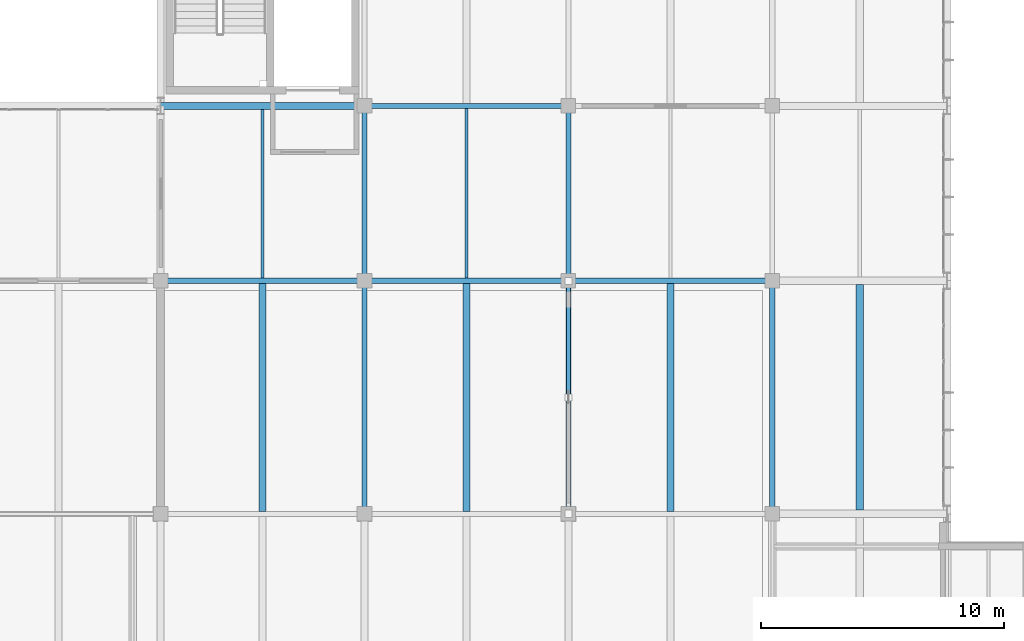
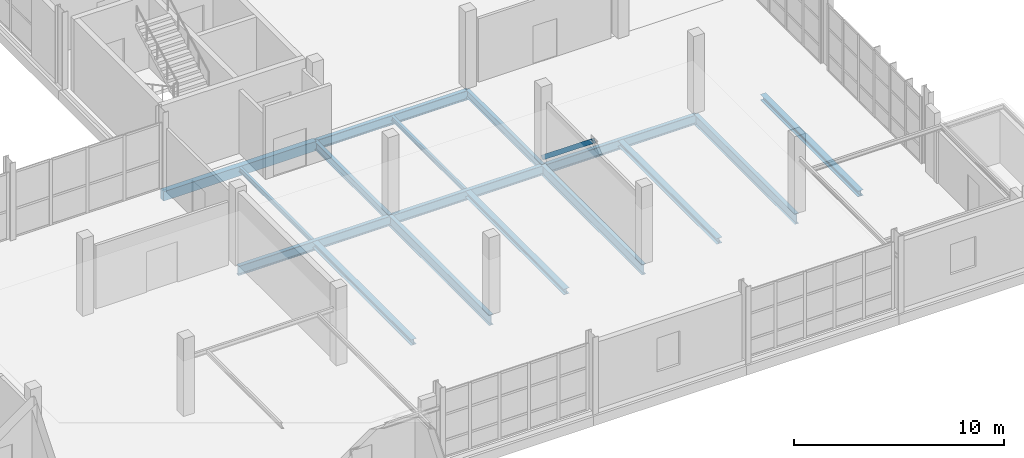
# One storey, part 69 of 113: 16 beams, 1 member.
"""IFC4 building model written with IfcOpenShell, lengths in metres."""

import ifcopenshell
import ifcopenshell.guid

model = None  # the IFC model being written
_history = None  # IfcOwnerHistory: only IFC2X3 demands one
_inside = {}  # id of a spatial element -> (the spatial element, [elements in it])
_under = {}  # id of a project, library or spatial element -> (it, [spatial elements below it])
_declared = {}  # id of a project -> (the project, [libraries it declares])
_typed = {}  # id of a type object -> (the type object, [elements of that type])
_made_of = {}  # id of a material, layer set ... -> (it, [elements and type objects made of it])


def new_model(schema):
    """Start an empty IFC model of exactly this schema.

    Asked for "IFC4X3", IfcOpenShell would pick the latest addendum, in which some entities
    have other attributes; the version numbers below select the first issue.
    IFC2X3 requires an IfcOwnerHistory on every rooted entity: one is made here for all.
    """
    global model, _history
    if schema == "IFC4X3":
        model = ifcopenshell.file(schema_version=(4, 3, 0, 0))
    else:
        model = ifcopenshell.file(schema=schema)
    _inside.clear()
    _under.clear()
    _declared.clear()
    _typed.clear()
    _made_of.clear()
    _history = None
    if model.schema == "IFC2X3":
        org = make("IfcOrganization", Name="unknown")
        user = make(
            "IfcPersonAndOrganization",
            ThePerson=make("IfcPerson", FamilyName="unknown"),
            TheOrganization=org,
        )
        app = make(
            "IfcApplication",
            ApplicationDeveloper=org,
            Version="unknown",
            ApplicationFullName="unknown",
            ApplicationIdentifier="unknown",
        )
        _history = make(
            "IfcOwnerHistory",
            OwningUser=user,
            OwningApplication=app,
            ChangeAction="ADDED",
            CreationDate=0,
        )
    return model


def make(cls, **values):
    """One entity of the class cls with the attributes given. An attribute that is None is left unset."""
    return model.create_entity(
        cls, **{name: value for name, value in values.items() if value is not None}
    )


def rooted(cls, **values):
    """An entity with a GlobalId (a new one), such as an element, a storey or a relation."""
    return make(cls, GlobalId=ifcopenshell.guid.new(), OwnerHistory=_history, **values)


def si_unit(unit_type, name, prefix=None):
    """IfcSIUnit, for example si_unit("LENGTHUNIT", "METRE", prefix="MILLI")."""
    return make("IfcSIUnit", UnitType=unit_type, Prefix=prefix, Name=name)


def assignment(units):
    """IfcUnitAssignment: the units of a project."""
    return None if units is None else make("IfcUnitAssignment", Units=units)


def point(xyz):
    """IfcCartesianPoint."""
    return None if xyz is None else make("IfcCartesianPoint", Coordinates=xyz)


def direction(xyz):
    """IfcDirection."""
    return None if xyz is None else make("IfcDirection", DirectionRatios=xyz)


def frame(location, z_axis=None, x_axis=None):
    """IfcAxis2Placement3D, a coordinate frame: its origin and axes. An axis left out is left unset."""
    return make(
        "IfcAxis2Placement3D",
        Location=point(location),
        Axis=direction(z_axis),
        RefDirection=direction(x_axis),
    )


def frame_2d(location, x_axis=None):
    """IfcAxis2Placement2D, a coordinate frame in the plane: its origin and x axis."""
    return make(
        "IfcAxis2Placement2D", Location=point(location), RefDirection=direction(x_axis)
    )


def origin():
    """The frame at (0, 0, 0) with its axes left unset."""
    return frame((0.0, 0.0, 0.0))


def origin_2d():
    """The frame at (0, 0) in the plane with its x axis left unset."""
    return frame_2d((0.0, 0.0))


def place(relative_to, where):
    """IfcLocalPlacement: puts the frame where relative to a parent placement (None: the world)."""
    return make(
        "IfcLocalPlacement", PlacementRelTo=relative_to, RelativePlacement=where
    )


def context(
    kind, dimensions, precision=None, world=None, true_north=None, identifier=None
):
    """IfcGeometricRepresentationContext, for example the 3D "Model" context."""
    return make(
        "IfcGeometricRepresentationContext",
        ContextIdentifier=identifier,
        ContextType=kind,
        CoordinateSpaceDimension=dimensions,
        Precision=precision,
        WorldCoordinateSystem=world,
        TrueNorth=true_north,
    )


def subcontext(parent, identifier, kind, view, scale=None):
    """IfcGeometricRepresentationSubContext, for example "Body" below "Model"."""
    return make(
        "IfcGeometricRepresentationSubContext",
        ContextIdentifier=identifier,
        ContextType=kind,
        ParentContext=parent,
        TargetScale=scale,
        TargetView=view,
    )


def project(units=None, contexts=None):
    """IfcProject with its units and contexts."""
    return rooted(
        "IfcProject",
        Name="project",
        RepresentationContexts=contexts,
        UnitsInContext=assignment(units),
    )


def spatial(cls, under=None, at=None, **own):
    """A site, building, storey or space (cls), placed at a placement, below another one or the project."""
    s = rooted(cls, ObjectPlacement=at, **own)
    if under is not None:
        _under.setdefault(under.id(), (under, []))[1].append(s)
    return s


def profile(cls, at=None, kind="AREA", **sizes):
    """A parametric profile (cls). Its sizes go by their IFC names, for example OverallWidth=200.0."""
    return make(cls, ProfileType=kind, Position=at, **sizes)


def rectangle(**sizes):
    """IfcRectangleProfileDef."""
    return profile("IfcRectangleProfileDef", **sizes)


def hollow_rectangle(**sizes):
    """IfcRectangleHollowProfileDef."""
    return profile("IfcRectangleHollowProfileDef", **sizes)


def i_section(**sizes):
    """IfcIShapeProfileDef."""
    return profile("IfcIShapeProfileDef", **sizes)


def extrude(swept, where, along, depth):
    """IfcExtrudedAreaSolid: the profile swept, set in the frame where, extruded along a direction by depth."""
    return make(
        "IfcExtrudedAreaSolid",
        SweptArea=swept,
        Position=where,
        ExtrudedDirection=direction(along),
        Depth=depth,
    )


def shape(context_of_items, identifier, shape_type, items):
    """IfcShapeRepresentation: the items that make up one representation, for example the "Body"."""
    return make(
        "IfcShapeRepresentation",
        ContextOfItems=context_of_items,
        RepresentationIdentifier=identifier,
        RepresentationType=shape_type,
        Items=items,
    )


def material(Name=None, Category=None):
    """IfcMaterial."""
    return make("IfcMaterial", Name=Name, Category=Category)


def material_profile(
    of_material, cross_section, Name=None, Category=None, Priority=None
):
    """IfcMaterialProfile: a cross section and its material."""
    return make(
        "IfcMaterialProfile",
        Name=Name,
        Material=of_material,
        Profile=cross_section,
        Priority=Priority,
        Category=Category,
    )


def profile_set(profiles, Name=None, composite=None):
    """IfcMaterialProfileSet."""
    return make(
        "IfcMaterialProfileSet",
        Name=Name,
        MaterialProfiles=profiles,
        CompositeProfile=composite,
    )


def made_of(thing, what):
    """Note that an element or type object is made of a material, layer set ...; save() writes the relation."""
    if what is not None:
        _made_of.setdefault(what.id(), (what, []))[1].append(thing)
    return thing


def type_object(cls, material=None, **own):
    """A type object (cls), such as IfcWallType, which elements share."""
    return made_of(rooted(cls, **own), material)


def element(
    cls,
    number,
    at=None,
    inside=None,
    cuts=None,
    type_object=None,
    material=None,
    context=None,
    identifier="Body",
    shape_type=None,
    held_by="IfcProductDefinitionShape",
    body=None,
    shapes=None,
    **own,
):
    """One element of the class cls, such as IfcWall. Its Tag is "e" and its number.

    at: its placement. inside: the storey or other place that contains it. cuts: it is an
    opening in that element (IfcRelVoidsElement). A single representation is given by context,
    identifier, shape_type and body (its items); several are given by shapes. held_by: the class
    of the entity that holds the representations. save() writes the other relations.
    """
    e = rooted(cls, Tag="e%d" % number, ObjectPlacement=at, **own)
    if body is not None:
        shapes = [shape(context, identifier, shape_type, body)]
    if shapes is not None:
        e.Representation = make(held_by, Representations=shapes)
    if inside is not None:
        _inside.setdefault(inside.id(), (inside, []))[1].append(e)
    if cuts is not None:
        rooted(
            "IfcRelVoidsElement", RelatingBuildingElement=cuts, RelatedOpeningElement=e
        )
    if type_object is not None:
        _typed.setdefault(type_object.id(), (type_object, []))[1].append(e)
    return made_of(e, material)


def aggregate(whole, parts):
    """IfcRelAggregates: a whole, such as a stair, and the parts it consists of."""
    return rooted("IfcRelAggregates", RelatingObject=whole, RelatedObjects=parts)


def save(model, path):
    """Write the relations noted so far, then the file.

    IfcRelAggregates (storeys below a building ...), IfcRelContainedInSpatialStructure (elements
    in a storey), IfcRelDefinesByType, IfcRelAssociatesMaterial and IfcRelDeclares: one each for
    every whole, place, type object, material and project.
    """
    for whole, parts in _under.values():
        aggregate(whole, parts)
    for where, things in _inside.values():
        rooted(
            "IfcRelContainedInSpatialStructure",
            RelatedElements=things,
            RelatingStructure=where,
        )
    for kind, things in _typed.values():
        rooted("IfcRelDefinesByType", RelatedObjects=things, RelatingType=kind)
    for what, things in _made_of.values():
        rooted("IfcRelAssociatesMaterial", RelatedObjects=things, RelatingMaterial=what)
    for by, libraries in _declared.values():
        rooted("IfcRelDeclares", RelatingContext=by, RelatedDefinitions=libraries)
    model.write(path)


model = new_model("IFC4")

# Units and contexts
model_context = context("Model", 3, precision=1e-05, world=origin(), true_north=direction((0.0, 1.0)))
body_context = subcontext(model_context, "Body", "Model", "MODEL_VIEW")
ifc_project = project(units=[si_unit("LENGTHUNIT", "METRE"), si_unit("AREAUNIT", "SQUARE_METRE"), si_unit("VOLUMEUNIT", "CUBIC_METRE"), si_unit("PLANEANGLEUNIT", "RADIAN"), si_unit("MASSUNIT", "GRAM", prefix="KILO")], contexts=[model_context])

# Site, building, storey
site_placement = place(None, origin())
site = spatial("IfcSite", under=ifc_project, at=site_placement, CompositionType="ELEMENT")
building_placement = place(site_placement, origin())
building = spatial("IfcBuilding", under=site, at=building_placement, Name="Veltarok Museum of Natural Sciences", CompositionType="ELEMENT")
storey_placement = place(building_placement, frame((0.0, 0.0, 8.39990234375)))
storey = spatial("IfcBuildingStorey", under=building, at=storey_placement, Name="L01", CompositionType="ELEMENT", Elevation=8.39990234375)

# Beams
ifc_material_1 = material(Name="Steel S355J2", Category="steel")
ifc_material_profile_1 = material_profile(ifc_material_1, i_section(OverallWidth=0.2099609375, OverallDepth=0.550048828125, WebThickness=0.010986328125, FlangeThickness=0.01708984375, FilletRadius=0.02392578125, at=origin_2d()), Name="IPE 550")
ifc_profile_set_1 = profile_set([ifc_material_profile_1], Name="Steel S355J2")
beam_type_1 = type_object("IfcBeamType", Name="Archive Heavy Girder IPE 550", PredefinedType="BEAM", material=ifc_profile_set_1)
beam_1_placement = place(storey_placement, frame((132.39990234375, 19.199951171875, -0.52490234375), z_axis=(1.0, 0.0, 0.0), x_axis=(0.0, 1.0, 0.0)))
element("IfcBeam", 1, at=beam_1_placement, inside=storey, type_object=beam_type_1, Name="Beam BM-G03 L01 16-17/C", PredefinedType="BEAM", context=body_context, shape_type="SweptSolid", body=[
    extrude(i_section(OverallWidth=0.2099609375, OverallDepth=0.550048828125, WebThickness=0.010986328125, FlangeThickness=0.01708984375, FilletRadius=0.02392578125, at=origin_2d()), origin(), (0.0, 0.0, 1.0), 8.400146484375),
])
beam_2_placement = place(storey_placement, frame((140.800048828125, 19.199951171875, -0.52490234375), z_axis=(1.0, 0.0, 0.0), x_axis=(0.0, 1.0, 0.0)))
element("IfcBeam", 2, at=beam_2_placement, inside=storey, type_object=beam_type_1, Name="Beam BM-G03 L01 17-18/C", PredefinedType="BEAM", context=body_context, shape_type="SweptSolid", body=[
    extrude(i_section(OverallWidth=0.2099609375, OverallDepth=0.550048828125, WebThickness=0.010986328125, FlangeThickness=0.01708984375, FilletRadius=0.02392578125, at=origin_2d()), origin(), (0.0, 0.0, 1.0), 8.39990234375),
])
beam_3_placement = place(storey_placement, frame((149.199951171875, 19.199951171875, -0.52490234375), z_axis=(1.0, 0.0, 0.0), x_axis=(0.0, 1.0, 0.0)))
element("IfcBeam", 3, at=beam_3_placement, inside=storey, type_object=beam_type_1, Name="Beam BM-G03 L01 18-19/C", PredefinedType="BEAM", context=body_context, shape_type="SweptSolid", body=[
    extrude(i_section(OverallWidth=0.2099609375, OverallDepth=0.550048828125, WebThickness=0.010986328125, FlangeThickness=0.01708984375, FilletRadius=0.02392578125, at=origin_2d()), origin(), (0.0, 0.0, 1.0), 8.400146484375),
])
beam_4_placement = place(storey_placement, frame((140.800048828125, 26.39990234375, -0.52490234375), z_axis=(1.0, 0.0, 0.0), x_axis=(0.0, 1.0, 0.0)))
element("IfcBeam", 4, at=beam_4_placement, inside=storey, type_object=beam_type_1, Name="Beam BM-G03 L01 17-18/D", PredefinedType="BEAM", context=body_context, shape_type="SweptSolid", body=[
    extrude(i_section(OverallWidth=0.2099609375, OverallDepth=0.550048828125, WebThickness=0.010986328125, FlangeThickness=0.01708984375, FilletRadius=0.02392578125, at=origin_2d()), origin(), (0.0, 0.0, 1.0), 8.39990234375),
])
ifc_material_2 = material(Name="Precast concrete C40/50", Category="concrete")
ifc_material_profile_2 = material_profile(ifc_material_2, rectangle(XDim=0.300048828125, YDim=0.550048828125, at=origin_2d()), Name="RC 300x550")
ifc_profile_set_2 = profile_set([ifc_material_profile_2], Name="Precast concrete C40/50")
beam_type_2 = type_object("IfcBeamType", Name="East Wing Precast Spandrel RC 300x550", PredefinedType="SPANDREL", material=ifc_profile_set_2)
beam_5_placement = place(storey_placement, frame((132.39990234375, 26.39990234375, -0.52490234375), z_axis=(1.0, 0.0, 0.0), x_axis=(0.0, 1.0, 0.0)))
element("IfcBeam", 5, at=beam_5_placement, inside=storey, type_object=beam_type_2, Name="Beam BM-SP02 L01 16-17/D", PredefinedType="SPANDREL", context=body_context, shape_type="SweptSolid", body=[
    extrude(rectangle(XDim=0.300048828125, YDim=0.550048828125, at=origin_2d()), origin(), (0.0, 0.0, 1.0), 8.400146484375),
])
ifc_material_profile_3 = material_profile(ifc_material_1, i_section(OverallWidth=0.300048828125, OverallDepth=0.330078125, WebThickness=0.009521484375, FlangeThickness=0.0166015625, FilletRadius=0.027099609375, at=origin_2d()), Name="HEA 340")
ifc_profile_set_3 = profile_set([ifc_material_profile_3], Name="Steel S355J2")
beam_type_3 = type_object("IfcBeamType", Name="Exhibition Floor Joist HEA 340", PredefinedType="JOIST", material=ifc_profile_set_3)
for number, where, z_axis, x_axis, name in (
    (6, (136.60009765625, 9.702880859375, -0.414794921875), (0.0, 1.0, 0.0), (-1.0, 0.0, 0.0), "Secondary Joist BM-J08 L01 16-17/B-C.1"),
    (7, (145.0, 9.702880859375, -0.414794921875), (0.0, 1.0, 0.0), (-1.0, 0.0, 0.0), "Secondary Joist BM-J08 L01 17-18/B-C.1"),
    (8, (153.39990234375, 9.702880859375, -0.414794921875), (0.0, 1.0, 0.0), (-1.0, 0.0, 0.0), "Secondary Joist BM-J08 L01 18-19/B-C.1"),
):
    element("IfcBeam", number, at=place(storey_placement, frame(where, z_axis=z_axis, x_axis=x_axis)), inside=storey, type_object=beam_type_3, Name=name, PredefinedType="JOIST", context=body_context, shape_type="SweptSolid", body=[
        extrude(i_section(OverallWidth=0.300048828125, OverallDepth=0.330078125, WebThickness=0.009521484375, FlangeThickness=0.0166015625, FilletRadius=0.027099609375, at=origin_2d()), origin(), (0.0, 0.0, 1.0), 9.39404296875),
    ])
beam_6_placement = place(storey_placement, frame((161.199951171875, 9.748046875, -0.414794921875), z_axis=(0.0, 1.0, 0.0), x_axis=(-1.0, 0.0, 0.0)))
element("IfcBeam", 9, at=beam_6_placement, inside=storey, type_object=beam_type_3, Name="Secondary Joist BM-J08 L01 19-20/B-C.1", PredefinedType="JOIST", context=body_context, shape_type="SweptSolid", body=[
    extrude(i_section(OverallWidth=0.300048828125, OverallDepth=0.330078125, WebThickness=0.009521484375, FlangeThickness=0.0166015625, FilletRadius=0.027099609375, at=origin_2d()), origin(), (0.0, 0.0, 1.0), 9.303955078125),
])
ifc_material_profile_4 = material_profile(ifc_material_1, i_section(OverallWidth=0.18994140625, OverallDepth=0.449951171875, WebThickness=0.009521484375, FlangeThickness=0.0146484375, FilletRadius=0.02099609375, at=origin_2d()), Name="IPE 450")
ifc_profile_set_4 = profile_set([ifc_material_profile_4], Name="Steel S355J2")
beam_type_4 = type_object("IfcBeamType", Name="Laboratory Floor Girder IPE 450", PredefinedType="BEAM", material=ifc_profile_set_4)
for number, where, z_axis, x_axis, name in (
    (10, (140.800048828125, 19.199951171875, -0.474853515625), (0.0, 1.0, 0.0), (-1.0, 0.0, 0.0), "Beam BM-G05 L01 17/C-D"),
    (11, (149.199951171875, 19.199951171875, -0.474853515625), (0.0, 1.0, 0.0), (-1.0, 0.0, 0.0), "Beam BM-G05 L01 18/C-D"),
):
    element("IfcBeam", number, at=place(storey_placement, frame(where, z_axis=z_axis, x_axis=x_axis)), inside=storey, type_object=beam_type_4, Name=name, PredefinedType="BEAM", context=body_context, shape_type="SweptSolid", body=[
        extrude(i_section(OverallWidth=0.18994140625, OverallDepth=0.449951171875, WebThickness=0.009521484375, FlangeThickness=0.0146484375, FilletRadius=0.02099609375, at=origin_2d()), origin(), (0.0, 0.0, 1.0), 7.199951171875),
    ])

# Member
ifc_material_3 = material(Name="Oxide-red painted Steel S355J2", Category="steel")
ifc_material_profile_5 = material_profile(ifc_material_3, hollow_rectangle(XDim=0.14990234375, YDim=0.25, WallThickness=0.010009765625, at=origin_2d()), Name="RHS 250x150x10")
ifc_profile_set_5 = profile_set([ifc_material_profile_5], Name="Oxide-red painted Steel S355J2")
member_type = type_object("IfcMemberType", Name="Perimeter Frame Lateral Brace RHS 250x150x10", PredefinedType="BRACE", material=ifc_profile_set_5)
member_placement = place(storey_placement, frame((149.199951171875, 19.199951171875, 0.150146484375), z_axis=(0.0, -0.778502909612, 0.627640995893), x_axis=(1.0, 0.0, 0.0)))
element("IfcMember", 12, at=member_placement, inside=storey, type_object=member_type, Name="Chevron Lateral Brace L01 18/B-C", PredefinedType="BRACE", context=body_context, shape_type="SweptSolid", body=[
    extrude(hollow_rectangle(XDim=0.14990234375, YDim=0.25, WallThickness=0.010009765625, at=origin_2d()), origin(), (0.0, 0.0, 1.0), 6.165771484375),
])

# Beams
ifc_material_profile_6 = material_profile(ifc_material_1, i_section(OverallWidth=0.219970703125, OverallDepth=0.60009765625, WebThickness=0.011962890625, FlangeThickness=0.01904296875, FilletRadius=0.02392578125, at=origin_2d()), Name="IPE 600")
ifc_profile_set_6 = profile_set([ifc_material_profile_6], Name="Steel S355J2")
beam_type_5 = type_object("IfcBeamType", Name="Primary Museum Girder IPE 600", PredefinedType="BEAM", material=ifc_profile_set_6)
for number, where, z_axis, x_axis, name in (
    (13, (140.800048828125, 9.60009765625, -0.5498046875), (0.0, 1.0, 0.0), (-1.0, 0.0, 0.0), "Beam BM-G02 L01 17/B-C"),
    (14, (149.199951171875, 9.60009765625, -0.5498046875), (0.0, 1.0, 0.0), (-1.0, 0.0, 0.0), "Beam BM-G02 L01 18/B-C"),
    (15, (157.60009765625, 9.60009765625, -0.5498046875), (0.0, 1.0, 0.0), (-1.0, 0.0, 0.0), "Beam BM-G02 L01 19/B-C"),
):
    element("IfcBeam", number, at=place(storey_placement, frame(where, z_axis=z_axis, x_axis=x_axis)), inside=storey, type_object=beam_type_5, Name=name, PredefinedType="BEAM", context=body_context, shape_type="SweptSolid", body=[
        extrude(i_section(OverallWidth=0.219970703125, OverallDepth=0.60009765625, WebThickness=0.011962890625, FlangeThickness=0.01904296875, FilletRadius=0.02392578125, at=origin_2d()), origin(), (0.0, 0.0, 1.0), 9.599853515625),
    ])
ifc_material_profile_7 = material_profile(ifc_material_1, i_section(OverallWidth=0.135009765625, OverallDepth=0.27001953125, WebThickness=0.006591796875, FlangeThickness=0.01025390625, FilletRadius=0.014892578125, at=origin_2d()), Name="IPE 270")
ifc_profile_set_7 = profile_set([ifc_material_profile_7], Name="Steel S355J2")
beam_type_6 = type_object("IfcBeamType", Name="Short-Bay Composite Joist IPE 270", PredefinedType="JOIST", material=ifc_profile_set_7)
beam_7_placement = place(storey_placement, frame((136.60009765625, 19.302978515625, -0.385009765625), z_axis=(0.0, 1.0, 0.0), x_axis=(-1.0, 0.0, 0.0)))
element("IfcBeam", 16, at=beam_7_placement, inside=storey, type_object=beam_type_6, Name="Secondary Joist BM-J04 L01 16-17/C-D.1", PredefinedType="JOIST", context=body_context, shape_type="SweptSolid", body=[
    extrude(i_section(OverallWidth=0.135009765625, OverallDepth=0.27001953125, WebThickness=0.006591796875, FlangeThickness=0.01025390625, FilletRadius=0.014892578125, at=origin_2d()), origin(), (0.0, 0.0, 1.0), 6.948974609375),
])
beam_8_placement = place(storey_placement, frame((145.0, 19.302978515625, -0.385009765625), z_axis=(0.0, 1.0, 0.0), x_axis=(-1.0, 0.0, 0.0)))
element("IfcBeam", 17, at=beam_8_placement, inside=storey, type_object=beam_type_6, Name="Secondary Joist BM-J04 L01 17-18/C-D.1", PredefinedType="JOIST", context=body_context, shape_type="SweptSolid", body=[
    extrude(i_section(OverallWidth=0.135009765625, OverallDepth=0.27001953125, WebThickness=0.006591796875, FlangeThickness=0.01025390625, FilletRadius=0.014892578125, at=origin_2d()), origin(), (0.0, 0.0, 1.0), 6.994140625),
])

save(model, "model.ifc")
